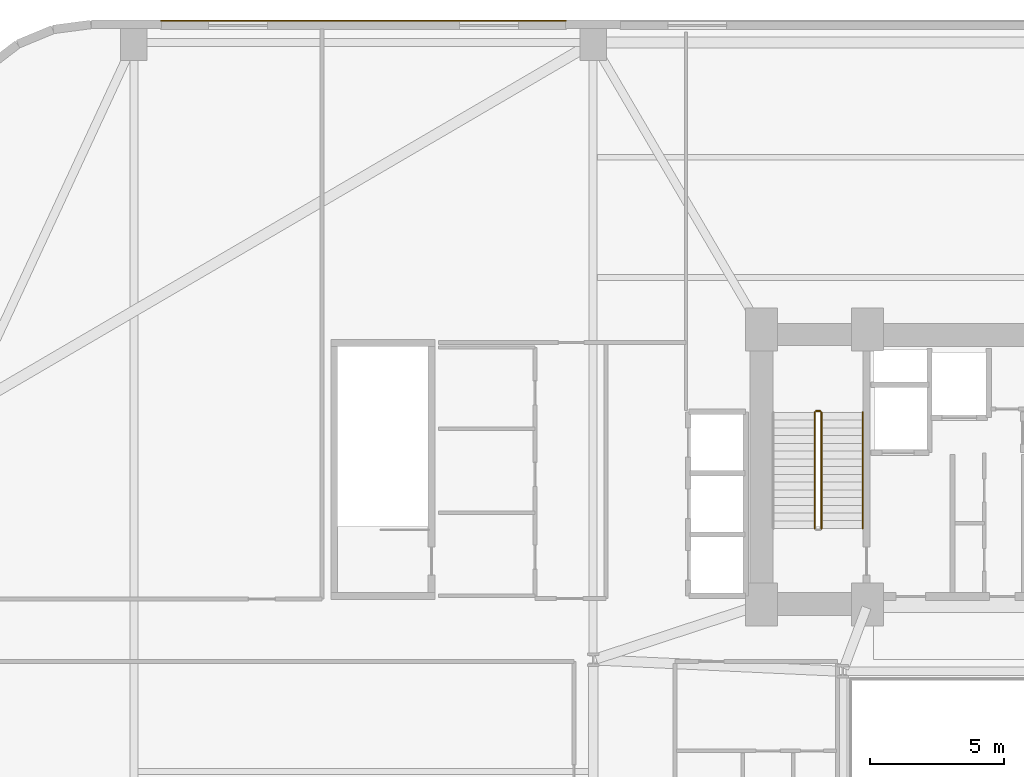
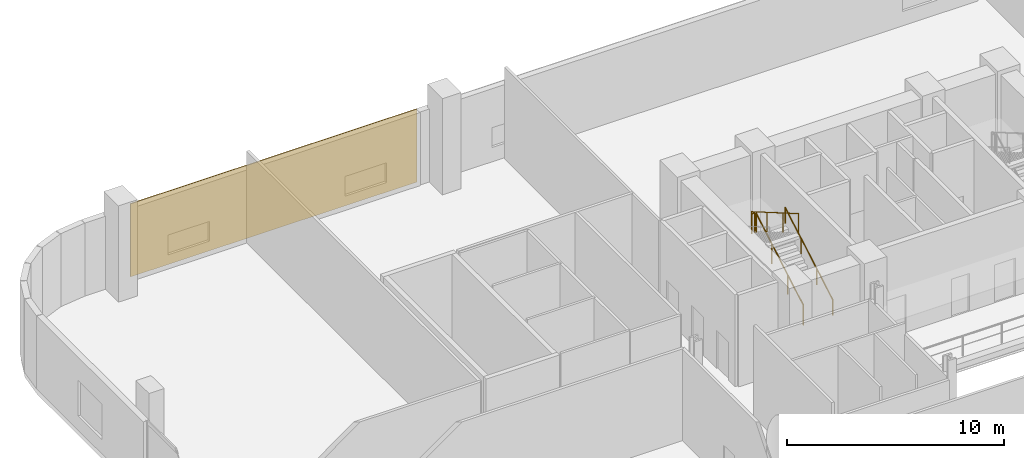
# One storey, part 29 of 31: 4 railings, 1 covering.
"""IFC4 building model written with IfcOpenShell, lengths in metres."""

from ifc_helpers import new_model, si_unit, direction, frame, origin, origin_2d, place, context, subcontext, project, spatial, rectangle, circle, extrude, source, transform, mapped, material, layer, layer_set, type_object, element, save


model = new_model("IFC4")

# Units and contexts
model_context = context("Model", 3, precision=1e-05, world=origin(), true_north=direction((0.0, 1.0)))
body_context = subcontext(model_context, "Body", "Model", "MODEL_VIEW")
ifc_project = project(units=[si_unit("LENGTHUNIT", "METRE"), si_unit("AREAUNIT", "SQUARE_METRE"), si_unit("VOLUMEUNIT", "CUBIC_METRE"), si_unit("PLANEANGLEUNIT", "RADIAN"), si_unit("MASSUNIT", "GRAM", prefix="KILO")], contexts=[model_context])

# Site, building, storey
site_placement = place(None, origin())
site = spatial("IfcSite", under=ifc_project, at=site_placement, CompositionType="ELEMENT")
building_placement = place(site_placement, origin())
building = spatial("IfcBuilding", under=site, at=building_placement, Name="Varnelok Gate Tower", CompositionType="ELEMENT")
storey_placement = place(building_placement, frame((0.0, 0.0, 21.60009765625)))
storey = spatial("IfcBuildingStorey", under=building, at=storey_placement, Name="L04", CompositionType="ELEMENT", Elevation=21.60009765625)

# Railings
ifc_material_1 = material(Name="Brushed Stainless Steel AISI 316", Category="steel")
railing_type_1 = type_object("IfcRailingType", Name="RL-HANDRAIL-900", PredefinedType="HANDRAIL", material=ifc_material_1)
railing_1_placement = place(storey_placement, frame((34.5, 31.60009765625, 0.168701171875)))
element("IfcRailing", 1, at=railing_1_placement, inside=storey, type_object=railing_type_1, Name="L04 ST-1 stair handrail 1", PredefinedType="HANDRAIL", context=body_context, shape_type="SweptSolid", body=[
    extrude(circle(Radius=0.02392578125, at=origin_2d()), frame((0.0, 0.0, 0.8759765625), z_axis=(0.0, 0.864311530196, 0.502956835891), x_axis=(-1.0, 0.0, 0.0)), (0.0, 0.0, 1.0), 5.03271484375),
    extrude(circle(Radius=0.02099609375, at=origin_2d()), origin(), (0.0, 0.0, 1.0), 0.851806640625),
    extrude(circle(Radius=0.02099609375, at=origin_2d()), frame((0.0, 1.449951171875, 0.84375)), (0.0, 0.0, 1.0), 0.851806640625),
    extrude(circle(Radius=0.02099609375, at=origin_2d()), frame((0.0, 2.89990234375, 1.6875)), (0.0, 0.0, 1.0), 0.851806640625),
    extrude(circle(Radius=0.02099609375, at=origin_2d()), frame((0.0, 4.349853515625, 2.53125)), (0.0, 0.0, 1.0), 0.851806640625),
])
ifc_material_2 = material(Name="Galvanized Steel Grade S350GD", Category="steel")
railing_type_2 = type_object("IfcRailingType", Name="RL-STAIR-GUARD1120", PredefinedType="GUARDRAIL", material=ifc_material_2)
railing_2_placement = place(storey_placement, frame((32.949951171875, 31.60009765625, 0.168701171875)))
element("IfcRailing", 2, at=railing_2_placement, inside=storey, type_object=railing_type_2, Name="L04 ST-1 stair guard 1", PredefinedType="GUARDRAIL", context=body_context, shape_type="SweptSolid", body=[
    extrude(circle(Radius=0.02392578125, at=origin_2d()), frame((0.0, 0.0, 1.09619140625), z_axis=(0.0, 0.864311530196, 0.502956835891), x_axis=(-1.0, 0.0, 0.0)), (0.0, 0.0, 1.0), 5.03271484375),
    extrude(circle(Radius=0.02099609375, at=origin_2d()), origin(), (0.0, 0.0, 1.0), 1.072021484375),
    extrude(circle(Radius=0.02099609375, at=origin_2d()), frame((0.0, 1.449951171875, 0.84375)), (0.0, 0.0, 1.0), 1.072021484375),
    extrude(circle(Radius=0.02099609375, at=origin_2d()), frame((0.0, 2.89990234375, 1.6875)), (0.0, 0.0, 1.0), 1.072021484375),
    extrude(circle(Radius=0.02099609375, at=origin_2d()), frame((0.0, 4.349853515625, 2.53125)), (0.0, 0.0, 1.0), 1.072021484375),
])
railing_3_placement = place(storey_placement, frame((32.89990234375, 36.0, 2.699951171875)))
element("IfcRailing", 3, at=railing_3_placement, inside=storey, type_object=railing_type_2, Name="L04 ST-1 stair guard 2", PredefinedType="GUARDRAIL", context=body_context, shape_type="SweptSolid", body=[
    extrude(circle(Radius=0.02392578125, at=origin_2d()), frame((0.0, 0.0, 1.09619140625), z_axis=(-1.0, 0.0, 0.0), x_axis=(0.0, -1.0, 0.0)), (0.0, 0.0, 1.0), 0.14990234375),
    extrude(circle(Radius=0.02099609375, at=origin_2d()), origin(), (0.0, 0.0, 1.0), 1.072021484375),
    extrude(circle(Radius=0.02099609375, at=origin_2d()), frame((-0.14990234375, 0.0, 0.0)), (0.0, 0.0, 1.0), 1.072021484375),
])
railing_4_placement = place(storey_placement, frame((32.699951171875, 35.949951171875, 2.86865234375)))
element("IfcRailing", 4, at=railing_4_placement, inside=storey, type_object=railing_type_2, Name="L04 ST-1 stair guard 3", PredefinedType="GUARDRAIL", context=body_context, shape_type="SweptSolid", body=[
    extrude(circle(Radius=0.02392578125, at=origin_2d()), frame((0.0, 0.0, 1.09619140625), z_axis=(0.0, -0.864311530196, 0.502956835891), x_axis=(1.0, 0.0, 0.0)), (0.0, 0.0, 1.0), 5.03271484375),
    extrude(circle(Radius=0.02099609375, at=origin_2d()), origin(), (0.0, 0.0, 1.0), 1.072021484375),
    extrude(circle(Radius=0.02099609375, at=origin_2d()), frame((0.0, -1.449951171875, 0.84375)), (0.0, 0.0, 1.0), 1.072021484375),
    extrude(circle(Radius=0.02099609375, at=origin_2d()), frame((0.0, -2.89990234375, 1.6875)), (0.0, 0.0, 1.0), 1.072021484375),
    extrude(circle(Radius=0.02099609375, at=origin_2d()), frame((0.0, -4.349853515625, 2.53125)), (0.0, 0.0, 1.0), 1.072021484375),
])

# Covering
ifc_material_3 = material(Name="Glazed Architectural Terracotta Ceramic", Category="masonry")
ifc_layer = layer(ifc_material_3, 0.044921875)
ifc_layer_set = layer_set([ifc_layer], Name="Glazed Architectural Terracotta Ceramic")
covering_type = type_object("IfcCoveringType", Name="COV-TERRA-CLAD", PredefinedType="CLADDING", material=ifc_layer_set)
shared_shape = source(origin(), body_context, "Body", "SweptSolid", [
    extrude(rectangle(XDim=15.199951171875, YDim=0.044921875, at=origin_2d()), origin(), (0.0, 0.0, 1.0), 4.10009765625),
])
covering_placement = place(storey_placement, frame((15.800048828125, 50.6220703125, -0.000244140625), z_axis=(0.0, 0.0, 1.0), x_axis=(1.0, 0.0, 0.0)))
element("IfcCovering", 5, at=covering_placement, inside=storey, type_object=covering_type, Name="L04 Terracotta Podium Rainscreen Cladding N1", PredefinedType="CLADDING", context=body_context, shape_type="MappedRepresentation", body=[
    mapped(shared_shape, transform((0.0, 0.0, 0.0), scale=1.0)),
])

save(model, "model.ifc")
